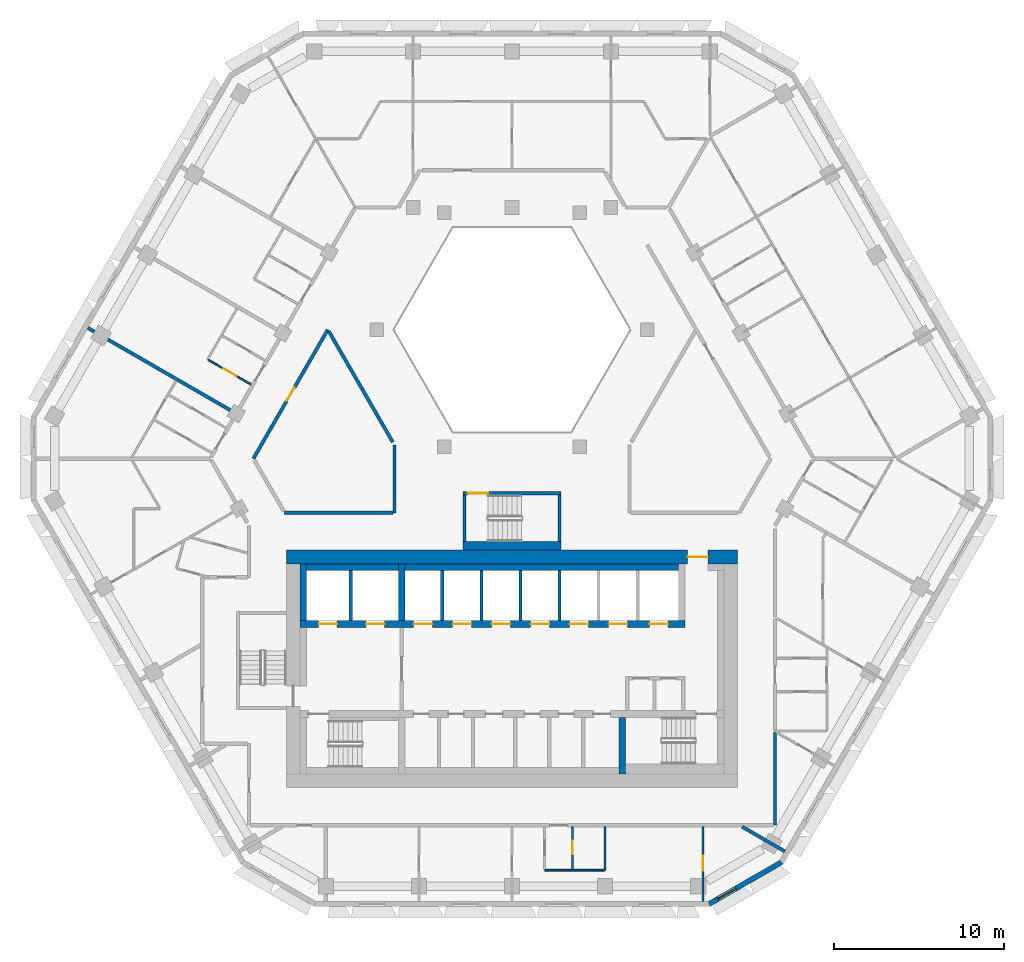
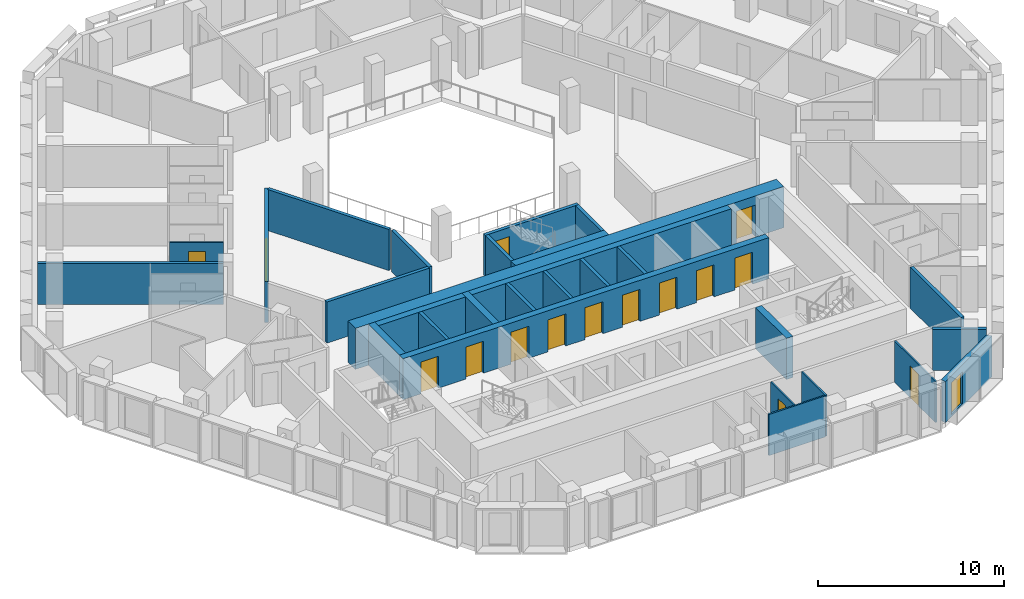
# One storey, part 5 of 15: 29 walls, 15 doors, 1 window, 16 openings.
"""IFC4 building model written with IfcOpenShell, lengths in metres."""

from ifc_helpers import new_model, si_unit, direction, frame, frame_2d, origin, place, context, subcontext, project, spatial, polyline, rectangle, outline, extrude, material, layer, layer_set, type_object, element, fill, save


model = new_model("IFC4")

# Units and contexts
model_context = context("Model", 3, precision=1e-05, world=origin(), true_north=direction((0.0, 1.0)))
body_context = subcontext(model_context, "Body", "Model", "MODEL_VIEW")
ifc_project = project(units=[si_unit("LENGTHUNIT", "METRE"), si_unit("AREAUNIT", "SQUARE_METRE"), si_unit("VOLUMEUNIT", "CUBIC_METRE"), si_unit("PLANEANGLEUNIT", "RADIAN"), si_unit("MASSUNIT", "GRAM", prefix="KILO")], contexts=[model_context])

# Site, building, storey
site_placement = place(None, origin())
site = spatial("IfcSite", under=ifc_project, at=site_placement, CompositionType="ELEMENT")
building_placement = place(site_placement, origin())
building = spatial("IfcBuilding", under=site, at=building_placement, Name="Beryl Residences", CompositionType="ELEMENT")
storey_placement = place(building_placement, frame((0.0, 0.0, 141.60009765625)))
storey = spatial("IfcBuildingStorey", under=building, at=storey_placement, Name="L43", CompositionType="ELEMENT", Elevation=141.60009765625)

# Wall, opening, window
ifc_material_1 = material(Name="Composite metal panel with mineral wool insulation")
ifc_layer_1 = layer(ifc_material_1, 0.300048828125)
ifc_layer_set_1 = layer_set([ifc_layer_1], Name="ES1 pale metal composite panel wall 300 mm")
wall_type_1 = type_object("IfcWallType", Name="ES1 pale metal composite panel wall 300 mm", PredefinedType="SOLIDWALL", material=ifc_layer_set_1)
wall_1_placement = place(storey_placement, frame((11.5869140625, -25.8701171875, 0.0), z_axis=(0.0, 0.0, 1.0), x_axis=(0.866022959057, 0.500004234368, 0.0)))
wall_1 = element("IfcWall", 1, at=wall_1_placement, inside=storey, type_object=wall_type_1, Name="ES1 external wall L43 S-SE", PredefinedType="SOLIDWALL", context=body_context, shape_type="SweptSolid", body=[
    extrude(outline(polyline([(0.0, -0.14990234375), (5.0, -0.14990234375), (4.919677734375, 0.14990234375), (0.080322265625, 0.14990234375), (0.0, -0.14990234375)])), origin(), (0.0, 0.0, 1.0), 2.699951171875),
])
opening_1_placement = place(wall_1_placement, frame((0.64990234375, 0.0, 0.14990234375)))
opening_1 = element("IfcOpeningElement", 2, at=opening_1_placement, cuts=wall_1, Name="Opening W2", PredefinedType="OPENING", context=body_context, shape_type="SweptSolid", body=[
    extrude(rectangle(XDim=1.199951171875, YDim=2.10009765625, at=frame_2d((0.60009765625, 1.050048828125))), frame((0.0, 0.159912109375, 0.0), z_axis=(0.0, -1.0, 0.0), x_axis=(1.0, 0.0, 0.0)), (0.0, 0.0, 1.0), 0.320068359375),
])
ifc_material_2 = material(Name="Aluminium and clear glass", Category="aluminium")
window_type = type_object("IfcWindowType", Name="W2 chamfer window 1200 x 2100 mm", PartitioningType="SINGLE_PANEL", PredefinedType="WINDOW", material=ifc_material_2)
window_placement = place(opening_1_placement, origin())
window = element("IfcWindow", 3, at=window_placement, inside=storey, type_object=window_type, Name="W2 window L43 S-SE 1", OverallHeight=2.10009765625, OverallWidth=1.199951171875, PartitioningType="SINGLE_PANEL", PredefinedType="WINDOW", context=body_context, shape_type="SweptSolid", body=[
    extrude(rectangle(XDim=1.199951171875, YDim=2.10009765625, at=frame_2d((0.60009765625, 1.050048828125))), frame((0.0, 0.030029296875, 0.0), z_axis=(0.0, -1.0, 0.0), x_axis=(1.0, 0.0, 0.0)), (0.0, 0.0, 1.0), 0.06005859375),
])
fill(opening_1, window)

# Wall, opening, door
ifc_material_3 = material(Name="Gypsum board partition on steel studs", Category="steel")
ifc_layer_2 = layer(ifc_material_3, 0.10009765625)
ifc_layer_set_2 = layer_set([ifc_layer_2], Name="PT1 partition 100 mm gypsum board on steel studs")
wall_type_2 = type_object("IfcWallType", Name="PT1 partition 100 mm gypsum board on steel studs", PredefinedType="PARTITIONING", material=ifc_layer_set_2)
wall_2_placement = place(storey_placement, frame((-17.89794921875, 6.217041015625, 0.0), z_axis=(0.0, 0.0, 1.0), x_axis=(0.86592000186, -0.500182517066, 0.0)))
wall_2 = element("IfcWall", 4, at=wall_2_placement, inside=storey, type_object=wall_type_2, Name="Wall PT1 L43 009", PredefinedType="PARTITIONING", context=body_context, shape_type="SweptSolid", body=[
    extrude(rectangle(XDim=2.9091796875, YDim=0.10009765625, at=frame_2d((1.45458984375, 0.0))), origin(), (0.0, 0.0, 1.0), 2.699951171875),
])
opening_2_placement = place(wall_2_placement, frame((1.029052734375, 0.0, 0.0)))
opening_2 = element("IfcOpeningElement", 5, at=opening_2_placement, cuts=wall_2, Name="Opening D1342", PredefinedType="OPENING", context=body_context, shape_type="SweptSolid", body=[
    extrude(rectangle(XDim=0.89990234375, YDim=2.10009765625, at=frame_2d((0.449951171875, 1.050048828125))), frame((0.0, 0.06005859375, 0.0), z_axis=(0.0, -1.0, 0.0), x_axis=(1.0, 0.0, 0.0)), (0.0, 0.0, 1.0), 0.1201171875),
])
ifc_material_4 = material(Name="Timber door leaf", Category="wood")
door_type_1 = type_object("IfcDoorType", Name="D2 room door 900 x 2100 mm", OperationType="SINGLE_SWING_LEFT", PredefinedType="DOOR", material=ifc_material_4)
door_1_placement = place(opening_2_placement, origin())
door_1 = element("IfcDoor", 6, at=door_1_placement, inside=storey, type_object=door_type_1, Name="Door D1342 L43 001", OperationType="SINGLE_SWING_RIGHT", OverallHeight=2.10009765625, OverallWidth=0.89990234375, PredefinedType="DOOR", context=body_context, shape_type="SweptSolid", body=[
    extrude(rectangle(XDim=0.89990234375, YDim=2.10009765625, at=frame_2d((0.449951171875, 1.050048828125))), frame((0.0, 0.02490234375, 0.0), z_axis=(0.0, -1.0, 0.0), x_axis=(1.0, 0.0, 0.0)), (0.0, 0.0, 1.0), 0.050048828125),
])
fill(opening_2, door_1)

# Wall
wall_3_placement = place(storey_placement, frame((1.922119140625, -23.860107421875, 0.0), z_axis=(0.0, 0.0, 1.0), x_axis=(1.0, 0.0, 0.0)))
element("IfcWall", 7, at=wall_3_placement, inside=storey, type_object=wall_type_2, Name="Wall PT1 L43 023", PredefinedType="PARTITIONING", context=body_context, shape_type="SweptSolid", body=[
    extrude(rectangle(XDim=3.512939453125, YDim=0.10009765625, at=frame_2d((1.75634765625, 0.0))), origin(), (0.0, 0.0, 1.0), 2.699951171875),
])

# Wall, opening, door
wall_4_placement = place(storey_placement, frame((3.56591796875, -23.81005859375, 0.0), z_axis=(0.0, 0.0, 1.0), x_axis=(0.0, 1.0, 0.0)))
wall_4 = element("IfcWall", 8, at=wall_4_placement, inside=storey, type_object=wall_type_2, Name="Wall PT1 L43 036", PredefinedType="PARTITIONING", context=body_context, shape_type="SweptSolid", body=[
    extrude(rectangle(XDim=2.510009765625, YDim=0.10009765625, at=frame_2d((1.2548828125, 0.0))), origin(), (0.0, 0.0, 1.0), 2.699951171875),
])
opening_3_placement = place(wall_4_placement, frame((0.8798828125, 0.0, 0.0)))
opening_3 = element("IfcOpeningElement", 9, at=opening_3_placement, cuts=wall_4, Name="Opening D1303", PredefinedType="OPENING", context=body_context, shape_type="SweptSolid", body=[
    extrude(rectangle(XDim=0.800048828125, YDim=2.10009765625, at=frame_2d((0.39990234375, 1.050048828125))), frame((0.0, 0.06005859375, 0.0), z_axis=(0.0, -1.0, 0.0), x_axis=(1.0, 0.0, 0.0)), (0.0, 0.0, 1.0), 0.1201171875),
])
ifc_material_5 = material(Name="Timber door leaf", Category="wood")
door_type_2 = type_object("IfcDoorType", Name="D3 bathroom door 800 x 2100 mm", OperationType="SINGLE_SWING_LEFT", PredefinedType="DOOR", material=ifc_material_5)
door_2_placement = place(opening_3_placement, origin())
door_2 = element("IfcDoor", 10, at=door_2_placement, inside=storey, type_object=door_type_2, Name="Door D1303 L43 001", OperationType="SINGLE_SWING_LEFT", OverallHeight=2.10009765625, OverallWidth=0.800048828125, PredefinedType="DOOR", context=body_context, shape_type="SweptSolid", body=[
    extrude(rectangle(XDim=0.800048828125, YDim=2.10009765625, at=frame_2d((0.39990234375, 1.050048828125))), frame((0.0, 0.02490234375, 0.0), z_axis=(0.0, -1.0, 0.0), x_axis=(1.0, 0.0, 0.0)), (0.0, 0.0, 1.0), 0.050048828125),
])
fill(opening_3, door_2)

# Wall
wall_5_placement = place(storey_placement, frame((5.486083984375, -23.85888671875, 0.0), z_axis=(0.0, 0.0, 1.0), x_axis=(0.0, 1.0, 0.0)))
element("IfcWall", 11, at=wall_5_placement, inside=storey, type_object=wall_type_2, Name="Wall PT1 L43 037", PredefinedType="PARTITIONING", context=body_context, shape_type="SweptSolid", body=[
    extrude(rectangle(XDim=2.558837890625, YDim=0.10009765625, at=frame_2d((1.279296875, 0.0))), origin(), (0.0, 0.0, 1.0), 2.699951171875),
])

# Wall, opening, door
wall_6_placement = place(storey_placement, frame((11.2548828125, -25.699951171875, 0.0), z_axis=(0.0, 0.0, 1.0), x_axis=(0.0, 1.0, 0.0)))
wall_6 = element("IfcWall", 12, at=wall_6_placement, inside=storey, type_object=wall_type_2, Name="Wall PT1 L43 039", PredefinedType="PARTITIONING", context=body_context, shape_type="SweptSolid", body=[
    extrude(rectangle(XDim=4.39990234375, YDim=0.10009765625, at=frame_2d((2.199951171875, 0.0))), origin(), (0.0, 0.0, 1.0), 2.699951171875),
])
opening_4_placement = place(wall_6_placement, frame((1.800048828125, 0.0, 0.0)))
opening_4 = element("IfcOpeningElement", 13, at=opening_4_placement, cuts=wall_6, Name="Opening D1304", PredefinedType="OPENING", context=body_context, shape_type="SweptSolid", body=[
    extrude(rectangle(XDim=0.89990234375, YDim=2.10009765625, at=frame_2d((0.449951171875, 1.050048828125))), frame((0.0, 0.06005859375, 0.0), z_axis=(0.0, -1.0, 0.0), x_axis=(1.0, 0.0, 0.0)), (0.0, 0.0, 1.0), 0.1201171875),
])
door_3_placement = place(opening_4_placement, origin())
door_3 = element("IfcDoor", 14, at=door_3_placement, inside=storey, type_object=door_type_1, Name="Door D1304 L43 001", OperationType="SINGLE_SWING_RIGHT", OverallHeight=2.10009765625, OverallWidth=0.89990234375, PredefinedType="DOOR", context=body_context, shape_type="SweptSolid", body=[
    extrude(rectangle(XDim=0.89990234375, YDim=2.10009765625, at=frame_2d((0.449951171875, 1.050048828125))), frame((0.0, 0.02490234375, 0.0), z_axis=(0.0, -1.0, 0.0), x_axis=(1.0, 0.0, 0.0)), (0.0, 0.0, 1.0), 0.050048828125),
])
fill(opening_4, door_3)

# Walls
ifc_material_6 = material(Name="Acoustic double stud gypsum board wall")
ifc_layer_3 = layer(ifc_material_6, 0.199951171875)
ifc_layer_set_3 = layer_set([ifc_layer_3], Name="PT3 party wall 200 mm acoustic double stud")
wall_type_3 = type_object("IfcWallType", Name="PT3 party wall 200 mm acoustic double stud", PredefinedType="PARTITIONING", material=ifc_layer_set_3)
wall_7_placement = place(storey_placement, frame((-24.9990234375, 8.10009765625, 0.0), z_axis=(0.0, 0.0, 1.0), x_axis=(0.866016855193, -0.500014806302, 0.0)))
element("IfcWall", 15, at=wall_7_placement, inside=storey, type_object=wall_type_3, Name="Wall PT3 L43 001", PredefinedType="PARTITIONING", context=body_context, shape_type="SweptSolid", body=[
    extrude(rectangle(XDim=9.999755859375, YDim=0.199951171875, at=frame_2d((5.0, 0.0))), origin(), (0.0, 0.0, 1.0), 2.699951171875),
])
wall_8_placement = place(storey_placement, frame((13.568115234375, -21.300048828125, 0.0), z_axis=(0.0, 0.0, 1.0), x_axis=(0.865885342641, -0.500242514586, 0.0)))
element("IfcWall", 16, at=wall_8_placement, inside=storey, type_object=wall_type_3, Name="Wall PT3 L43 002", PredefinedType="PARTITIONING", context=body_context, shape_type="SweptSolid", body=[
    extrude(rectangle(XDim=2.8984375, YDim=0.199951171875, at=frame_2d((1.44921875, 0.0))), origin(), (0.0, 0.0, 1.0), 2.699951171875),
])
ifc_material_7 = material(Name="Double stud gypsum board wall")
ifc_layer_4 = layer(ifc_material_7, 0.199951171875)
ifc_layer_set_4 = layer_set([ifc_layer_4], Name="PT4 corridor wall 200 mm double stud")
wall_type_4 = type_object("IfcWallType", Name="PT4 corridor wall 200 mm double stud", PredefinedType="PARTITIONING", material=ifc_layer_set_4)
wall_9_placement = place(storey_placement, frame((-10.7958984375, 7.89990234375, 0.0), z_axis=(0.0, 0.0, 1.0), x_axis=(0.499954271211, -0.866051803703, 0.0)))
element("IfcWall", 17, at=wall_9_placement, inside=storey, type_object=wall_type_4, Name="Wall PT4 L43 001", PredefinedType="PARTITIONING", context=body_context, shape_type="SweptSolid", body=[
    extrude(rectangle(XDim=7.536376953125, YDim=0.199951171875, at=frame_2d((3.76806640625, 0.0))), origin(), (0.0, 0.0, 1.0), 2.699951171875),
])
wall_10_placement = place(storey_placement, frame((-13.39501953125, -2.800048828125, 0.0), z_axis=(0.0, 0.0, 1.0), x_axis=(1.0, 0.0, 0.0)))
element("IfcWall", 18, at=wall_10_placement, inside=storey, type_object=wall_type_4, Name="Wall PT4 L43 012", PredefinedType="PARTITIONING", context=body_context, shape_type="SweptSolid", body=[
    extrude(rectangle(XDim=6.366943359375, YDim=0.199951171875, at=frame_2d((3.18359375, 0.0))), origin(), (0.0, 0.0, 1.0), 2.699951171875),
])

# Wall, opening, door
wall_11_placement = place(storey_placement, frame((-15.241943359375, 0.39892578125, 0.0), z_axis=(0.0, 0.0, 1.0), x_axis=(0.499953615651, 0.866052182145, 0.0)))
wall_11 = element("IfcWall", 19, at=wall_11_placement, inside=storey, type_object=wall_type_4, Name="Wall PT4 L43 020", PredefinedType="PARTITIONING", context=body_context, shape_type="SweptSolid", body=[
    extrude(rectangle(XDim=8.776611328125, YDim=0.199951171875, at=frame_2d((4.38818359375, 0.0))), origin(), (0.0, 0.0, 1.0), 2.699951171875),
])
opening_5_placement = place(wall_11_placement, frame((3.93798828125, 0.0, 0.0)))
opening_5 = element("IfcOpeningElement", 20, at=opening_5_placement, cuts=wall_11, Name="Opening D1356", PredefinedType="OPENING", context=body_context, shape_type="SweptSolid", body=[
    extrude(rectangle(XDim=0.89990234375, YDim=2.10009765625, at=frame_2d((0.449951171875, 1.050048828125))), frame((0.0, 0.10986328125, 0.0), z_axis=(0.0, -1.0, 0.0), x_axis=(1.0, 0.0, 0.0)), (0.0, 0.0, 1.0), 0.219970703125),
])
door_4_placement = place(opening_5_placement, origin())
door_4 = element("IfcDoor", 21, at=door_4_placement, inside=storey, type_object=door_type_1, Name="Door D1356 L43 001", OperationType="SINGLE_SWING_RIGHT", OverallHeight=2.10009765625, OverallWidth=0.89990234375, PredefinedType="DOOR", context=body_context, shape_type="SweptSolid", body=[
    extrude(rectangle(XDim=0.89990234375, YDim=2.10009765625, at=frame_2d((0.449951171875, 1.050048828125))), frame((0.0, 0.02490234375, 0.0), z_axis=(0.0, -1.0, 0.0), x_axis=(1.0, 0.0, 0.0)), (0.0, 0.0, 1.0), 0.050048828125),
])
fill(opening_5, door_4)

# Walls
wall_12_placement = place(storey_placement, frame((15.5, -21.198974609375, 0.0), z_axis=(0.0, 0.0, 1.0), x_axis=(0.0, 1.0, 0.0)))
element("IfcWall", 22, at=wall_12_placement, inside=storey, type_object=wall_type_4, Name="Wall PT4 L43 024", PredefinedType="PARTITIONING", context=body_context, shape_type="SweptSolid", body=[
    extrude(rectangle(XDim=5.4580078125, YDim=0.199951171875, at=frame_2d((2.72900390625, 0.0))), origin(), (0.0, 0.0, 1.0), 2.699951171875),
])
wall_13_placement = place(storey_placement, frame((-6.927978515625, -2.800048828125, 0.0), z_axis=(0.0, 0.0, 1.0), x_axis=(0.0, 1.0, 0.0)))
element("IfcWall", 23, at=wall_13_placement, inside=storey, type_object=wall_type_4, Name="Wall PT4 L43 026", PredefinedType="PARTITIONING", context=body_context, shape_type="SweptSolid", body=[
    extrude(rectangle(XDim=4.0, YDim=0.199951171875, at=frame_2d((2.0, 0.0))), origin(), (0.0, 0.0, 1.0), 2.699951171875),
])

# Wall, opening, door
ifc_material_8 = material(Name="Concrete C40/50", Category="concrete")
ifc_layer_5 = layer(ifc_material_8, 0.199951171875)
ifc_layer_set_5 = layer_set([ifc_layer_5], Name="PT5 stair enclosure wall 200 mm reinforced concrete C40/50")
wall_type_5 = type_object("IfcWallType", Name="PT5 stair enclosure wall 200 mm reinforced concrete C40/50", PredefinedType="SOLIDWALL", material=ifc_layer_set_5)
wall_14_placement = place(storey_placement, frame((-2.89990234375, -1.64990234375, 0.0), z_axis=(0.0, 0.0, 1.0), x_axis=(1.0, 0.0, 0.0)))
wall_14 = element("IfcWall", 24, at=wall_14_placement, inside=storey, type_object=wall_type_5, Name="Wall PT5 L43 001", PredefinedType="SOLIDWALL", context=body_context, shape_type="SweptSolid", body=[
    extrude(rectangle(XDim=5.7998046875, YDim=0.199951171875, at=frame_2d((2.89990234375, 0.0))), origin(), (0.0, 0.0, 1.0), 2.699951171875),
])
opening_6_placement = place(wall_14_placement, frame((0.300048828125, 0.0, 0.0)))
opening_6 = element("IfcOpeningElement", 25, at=opening_6_placement, cuts=wall_14, Name="Opening DS04", PredefinedType="OPENING", context=body_context, shape_type="SweptSolid", body=[
    extrude(rectangle(XDim=1.199951171875, YDim=2.10009765625, at=frame_2d((0.60009765625, 1.050048828125))), frame((0.0, 0.10986328125, 0.0), z_axis=(0.0, -1.0, 0.0), x_axis=(1.0, 0.0, 0.0)), (0.0, 0.0, 1.0), 0.219970703125),
])
ifc_material_9 = material(Name="Steel door leaf in steel frame", Category="steel")
door_type_3 = type_object("IfcDoorType", Name="D4 stair door 1200 x 2100 mm", OperationType="SINGLE_SWING_LEFT", PredefinedType="DOOR", material=ifc_material_9)
door_5_placement = place(opening_6_placement, origin())
door_5 = element("IfcDoor", 26, at=door_5_placement, inside=storey, type_object=door_type_3, Name="Door DS04 L43 001", OperationType="SINGLE_SWING_LEFT", OverallHeight=2.10009765625, OverallWidth=1.199951171875, PredefinedType="DOOR", context=body_context, shape_type="SweptSolid", body=[
    extrude(rectangle(XDim=1.199951171875, YDim=2.10009765625, at=frame_2d((0.60009765625, 1.050048828125))), frame((0.0, 0.02490234375, 0.0), z_axis=(0.0, -1.0, 0.0), x_axis=(1.0, 0.0, 0.0)), (0.0, 0.0, 1.0), 0.050048828125),
])
fill(opening_6, door_5)

# Walls
for number, where, z_axis, x_axis, name in (
    (27, (-2.800048828125, -4.5, 0.0), (0.0, 0.0, 1.0), (0.0, 1.0, 0.0), "Wall PT5 L43 002"),
    (28, (2.800048828125, -4.5, 0.0), (0.0, 0.0, 1.0), (0.0, 1.0, 0.0), "Wall PT5 L43 003"),
):
    element("IfcWall", number, at=place(storey_placement, frame(where, z_axis=z_axis, x_axis=x_axis)), inside=storey, type_object=wall_type_5, Name=name, PredefinedType="SOLIDWALL", context=body_context, shape_type="SweptSolid", body=[
        extrude(rectangle(XDim=2.75, YDim=0.199951171875, at=frame_2d((1.375, 0.0))), origin(), (0.0, 0.0, 1.0), 2.699951171875),
    ])
ifc_material_10 = material(Name="Concrete C40/50", Category="concrete")
ifc_layer_6 = layer(ifc_material_10, 0.5)
ifc_layer_set_6 = layer_set([ifc_layer_6], Name="PT5-500 stair enclosure wall 500 mm")
wall_type_6 = type_object("IfcWallType", Name="PT5-500 stair enclosure wall 500 mm", PredefinedType="SOLIDWALL", material=ifc_layer_set_6)
wall_15_placement = place(storey_placement, frame((-2.89990234375, -4.75, 0.0), z_axis=(0.0, 0.0, 1.0), x_axis=(1.0, 0.0, 0.0)))
element("IfcWall", 29, at=wall_15_placement, inside=storey, type_object=wall_type_6, Name="Wall PT5-500 L43 001", PredefinedType="SOLIDWALL", context=body_context, shape_type="SweptSolid", body=[
    extrude(rectangle(XDim=5.7998046875, YDim=0.5, at=frame_2d((2.89990234375, 0.0))), origin(), (0.0, 0.0, 1.0), 2.699951171875),
])
ifc_material_11 = material(Name="Concrete C40/50", Category="concrete")
ifc_layer_7 = layer(ifc_material_11, 0.199951171875)
ifc_layer_set_7 = layer_set([ifc_layer_7], Name="PT6 lift shaft wall 200 mm reinforced concrete C40/50")
wall_type_7 = type_object("IfcWallType", Name="PT6 lift shaft wall 200 mm reinforced concrete C40/50", PredefinedType="SOLIDWALL", material=ifc_layer_set_7)
for number, where, z_axis, x_axis, name in (
    (30, (-9.5, -9.14990234375, 0.0), (0.0, 0.0, 1.0), (0.0, 1.0, 0.0), "Lift shaft wall 10"),
    (31, (-4.10009765625, -9.14990234375, 0.0), (0.0, 0.0, 1.0), (0.0, 1.0, 0.0), "Lift shaft wall 15"),
    (32, (-1.800048828125, -9.14990234375, 0.0), (0.0, 0.0, 1.0), (0.0, 1.0, 0.0), "Lift shaft wall 17"),
    (33, (0.5, -9.14990234375, 0.0), (0.0, 0.0, 1.0), (0.0, 1.0, 0.0), "Lift shaft wall 19"),
    (34, (2.800048828125, -9.14990234375, 0.0), (0.0, 0.0, 1.0), (0.0, 1.0, 0.0), "Lift shaft wall 21"),
):
    element("IfcWall", number, at=place(storey_placement, frame(where, z_axis=z_axis, x_axis=x_axis)), inside=storey, type_object=wall_type_7, Name=name, PredefinedType="SOLIDWALL", context=body_context, shape_type="SweptSolid", body=[
        extrude(rectangle(XDim=2.949951171875, YDim=0.199951171875, at=frame_2d((1.47509765625, 0.0))), origin(), (0.0, 0.0, 1.0), 2.699951171875),
    ])
ifc_material_12 = material(Name="Concrete C40/50", Category="concrete")
ifc_layer_8 = layer(ifc_material_12, 0.39990234375)
ifc_layer_set_8 = layer_set([ifc_layer_8], Name="PT6-400 lift shaft wall 400 mm")
wall_type_8 = type_object("IfcWallType", Name="PT6-400 lift shaft wall 400 mm", PredefinedType="SOLIDWALL", material=ifc_layer_set_8)
wall_16_placement = place(storey_placement, frame((-12.300048828125, -9.14990234375, 0.0), z_axis=(0.0, 0.0, 1.0), x_axis=(0.0, 1.0, 0.0)))
element("IfcWall", 35, at=wall_16_placement, inside=storey, type_object=wall_type_8, Name="Lift shaft wall 06", PredefinedType="SOLIDWALL", context=body_context, shape_type="SweptSolid", body=[
    extrude(rectangle(XDim=3.349853515625, YDim=0.39990234375, at=frame_2d((1.6748046875, 0.0))), origin(), (0.0, 0.0, 1.0), 2.699951171875),
])
wall_17_placement = place(storey_placement, frame((-12.10009765625, -6.0, 0.0), z_axis=(0.0, 0.0, 1.0), x_axis=(1.0, 0.0, 0.0)))
element("IfcWall", 36, at=wall_17_placement, inside=storey, type_object=wall_type_8, Name="Lift shaft wall 08", PredefinedType="SOLIDWALL", context=body_context, shape_type="SweptSolid", body=[
    extrude(rectangle(XDim=5.400146484375, YDim=0.39990234375, at=frame_2d((2.7001953125, 0.0))), origin(), (0.0, 0.0, 1.0), 2.699951171875),
])
wall_18_placement = place(storey_placement, frame((-6.300048828125, -6.0, 0.0), z_axis=(0.0, 0.0, 1.0), x_axis=(1.0, 0.0, 0.0)))
element("IfcWall", 37, at=wall_18_placement, inside=storey, type_object=wall_type_8, Name="Lift shaft wall 13", PredefinedType="SOLIDWALL", context=body_context, shape_type="SweptSolid", body=[
    extrude(rectangle(XDim=16.10009765625, YDim=0.39990234375, at=frame_2d((8.050048828125, 0.0))), origin(), (0.0, 0.0, 1.0), 2.699951171875),
])

# Wall, opening, door
ifc_material_13 = material(Name="Concrete C60/75", Category="concrete")
ifc_layer_9 = layer(ifc_material_13, 0.800048828125)
ifc_layer_set_9 = layer_set([ifc_layer_9], Name="SW3 core outer wall 800 mm C60/75")
wall_type_9 = type_object("IfcWallType", Name="SW3 core outer wall 800 mm C60/75", PredefinedType="SHEAR", material=ifc_layer_set_9)
wall_19_placement = place(storey_placement, frame((-13.300048828125, -5.39990234375, 0.0), z_axis=(0.0, 0.0, 1.0), x_axis=(1.0, 0.0, 0.0)))
wall_19 = element("IfcWall", 38, at=wall_19_placement, inside=storey, type_object=wall_type_9, Name="Core wall N L43", PredefinedType="SHEAR", context=body_context, shape_type="SweptSolid", body=[
    extrude(rectangle(XDim=26.60009765625, YDim=0.800048828125, at=frame_2d((13.300048828125, 0.0))), origin(), (0.0, 0.0, 1.0), 2.699951171875),
])
opening_7_placement = place(wall_19_placement, frame((23.64990234375, 0.0, 0.0)))
opening_7 = element("IfcOpeningElement", 39, at=opening_7_placement, cuts=wall_19, Name="Opening FD-NORTH", PredefinedType="OPENING", context=body_context, shape_type="SweptSolid", body=[
    extrude(rectangle(XDim=1.199951171875, YDim=2.10009765625, at=frame_2d((0.60009765625, 1.050048828125))), frame((0.0, 0.409912109375, 0.0), z_axis=(0.0, -1.0, 0.0), x_axis=(1.0, 0.0, 0.0)), (0.0, 0.0, 1.0), 0.820068359375),
])
ifc_material_14 = material(Name="Steel door leaf in steel frame", Category="steel")
door_type_4 = type_object("IfcDoorType", Name="D22 lobby door 1200 x 2100 mm", OperationType="DOUBLE_DOOR_SINGLE_SWING", PredefinedType="DOOR", material=ifc_material_14)
door_6_placement = place(opening_7_placement, origin())
door_6 = element("IfcDoor", 40, at=door_6_placement, inside=storey, type_object=door_type_4, Name="Door FD-NORTH L43 001", OperationType="DOUBLE_DOOR_SINGLE_SWING", OverallHeight=2.10009765625, OverallWidth=1.199951171875, PredefinedType="DOOR", context=body_context, shape_type="SweptSolid", body=[
    extrude(rectangle(XDim=1.199951171875, YDim=2.10009765625, at=frame_2d((0.60009765625, 1.050048828125))), frame((0.0, 0.02490234375, 0.0), z_axis=(0.0, -1.0, 0.0), x_axis=(1.0, 0.0, 0.0)), (0.0, 0.0, 1.0), 0.050048828125),
])
fill(opening_7, door_6)

# Wall, openings, doors
ifc_material_15 = material(Name="Concrete C60/75", Category="concrete")
ifc_layer_10 = layer(ifc_material_15, 0.39990234375)
ifc_layer_set_10 = layer_set([ifc_layer_10], Name="SW8 core internal wall 400 mm C60/75")
wall_type_10 = type_object("IfcWallType", Name="SW8 core internal wall 400 mm C60/75", PredefinedType="SHEAR", material=ifc_layer_set_10)
wall_20_placement = place(storey_placement, frame((-12.5, -9.35009765625, 0.0), z_axis=(0.0, 0.0, 1.0), x_axis=(1.0, 0.0, 0.0)))
wall_20 = element("IfcWall", 41, at=wall_20_placement, inside=storey, type_object=wall_type_10, Name="Core wall SP2 L43", PredefinedType="SHEAR", context=body_context, shape_type="SweptSolid", body=[
    extrude(rectangle(XDim=22.699951171875, YDim=0.39990234375, at=frame_2d((11.35009765625, 0.0))), origin(), (0.0, 0.0, 1.0), 2.699951171875),
])
opening_8_placement = place(wall_20_placement, frame((1.10009765625, 0.0, 0.0)))
opening_8 = element("IfcOpeningElement", 42, at=opening_8_placement, cuts=wall_20, Name="Opening LD-FF1", PredefinedType="OPENING", context=body_context, shape_type="SweptSolid", body=[
    extrude(rectangle(XDim=1.10009765625, YDim=2.10009765625, at=frame_2d((0.550048828125, 1.050048828125))), frame((0.0, 0.2099609375, 0.0), z_axis=(0.0, -1.0, 0.0), x_axis=(1.0, 0.0, 0.0)), (0.0, 0.0, 1.0), 0.419921875),
])
opening_9_placement = place(wall_20_placement, frame((3.89990234375, 0.0, 0.0)))
opening_9 = element("IfcOpeningElement", 43, at=opening_9_placement, cuts=wall_20, Name="Opening LD-FF2", PredefinedType="OPENING", context=body_context, shape_type="SweptSolid", body=[
    extrude(rectangle(XDim=1.10009765625, YDim=2.10009765625, at=frame_2d((0.550048828125, 1.050048828125))), frame((0.0, 0.2099609375, 0.0), z_axis=(0.0, -1.0, 0.0), x_axis=(1.0, 0.0, 0.0)), (0.0, 0.0, 1.0), 0.419921875),
])
opening_10_placement = place(wall_20_placement, frame((6.699951171875, 0.0, 0.0)))
opening_10 = element("IfcOpeningElement", 44, at=opening_10_placement, cuts=wall_20, Name="Opening LD-HR1", PredefinedType="OPENING", context=body_context, shape_type="SweptSolid", body=[
    extrude(rectangle(XDim=1.10009765625, YDim=2.10009765625, at=frame_2d((0.550048828125, 1.050048828125))), frame((0.0, 0.2099609375, 0.0), z_axis=(0.0, -1.0, 0.0), x_axis=(1.0, 0.0, 0.0)), (0.0, 0.0, 1.0), 0.419921875),
])
opening_11_placement = place(wall_20_placement, frame((9.0, 0.0, 0.0)))
opening_11 = element("IfcOpeningElement", 45, at=opening_11_placement, cuts=wall_20, Name="Opening LD-HR2", PredefinedType="OPENING", context=body_context, shape_type="SweptSolid", body=[
    extrude(rectangle(XDim=1.10009765625, YDim=2.10009765625, at=frame_2d((0.550048828125, 1.050048828125))), frame((0.0, 0.2099609375, 0.0), z_axis=(0.0, -1.0, 0.0), x_axis=(1.0, 0.0, 0.0)), (0.0, 0.0, 1.0), 0.419921875),
])
opening_12_placement = place(wall_20_placement, frame((11.300048828125, 0.0, 0.0)))
opening_12 = element("IfcOpeningElement", 46, at=opening_12_placement, cuts=wall_20, Name="Opening LD-HR3", PredefinedType="OPENING", context=body_context, shape_type="SweptSolid", body=[
    extrude(rectangle(XDim=1.10009765625, YDim=2.10009765625, at=frame_2d((0.550048828125, 1.050048828125))), frame((0.0, 0.2099609375, 0.0), z_axis=(0.0, -1.0, 0.0), x_axis=(1.0, 0.0, 0.0)), (0.0, 0.0, 1.0), 0.419921875),
])
opening_13_placement = place(wall_20_placement, frame((13.60009765625, 0.0, 0.0)))
opening_13 = element("IfcOpeningElement", 47, at=opening_13_placement, cuts=wall_20, Name="Opening LD-HR4", PredefinedType="OPENING", context=body_context, shape_type="SweptSolid", body=[
    extrude(rectangle(XDim=1.10009765625, YDim=2.10009765625, at=frame_2d((0.550048828125, 1.050048828125))), frame((0.0, 0.2099609375, 0.0), z_axis=(0.0, -1.0, 0.0), x_axis=(1.0, 0.0, 0.0)), (0.0, 0.0, 1.0), 0.419921875),
])
opening_14_placement = place(wall_20_placement, frame((15.89990234375, 0.0, 0.0)))
opening_14 = element("IfcOpeningElement", 48, at=opening_14_placement, cuts=wall_20, Name="Opening LD-HR5", PredefinedType="OPENING", context=body_context, shape_type="SweptSolid", body=[
    extrude(rectangle(XDim=1.10009765625, YDim=2.10009765625, at=frame_2d((0.550048828125, 1.050048828125))), frame((0.0, 0.2099609375, 0.0), z_axis=(0.0, -1.0, 0.0), x_axis=(1.0, 0.0, 0.0)), (0.0, 0.0, 1.0), 0.419921875),
])
opening_15_placement = place(wall_20_placement, frame((18.199951171875, 0.0, 0.0)))
opening_15 = element("IfcOpeningElement", 49, at=opening_15_placement, cuts=wall_20, Name="Opening LD-HR6", PredefinedType="OPENING", context=body_context, shape_type="SweptSolid", body=[
    extrude(rectangle(XDim=1.10009765625, YDim=2.10009765625, at=frame_2d((0.550048828125, 1.050048828125))), frame((0.0, 0.2099609375, 0.0), z_axis=(0.0, -1.0, 0.0), x_axis=(1.0, 0.0, 0.0)), (0.0, 0.0, 1.0), 0.419921875),
])
opening_16_placement = place(wall_20_placement, frame((20.60009765625, 0.0, 0.0)))
opening_16 = element("IfcOpeningElement", 50, at=opening_16_placement, cuts=wall_20, Name="Opening LD-SL1", PredefinedType="OPENING", context=body_context, shape_type="SweptSolid", body=[
    extrude(rectangle(XDim=1.10009765625, YDim=2.10009765625, at=frame_2d((0.550048828125, 1.050048828125))), frame((0.0, 0.2099609375, 0.0), z_axis=(0.0, -1.0, 0.0), x_axis=(1.0, 0.0, 0.0)), (0.0, 0.0, 1.0), 0.419921875),
])
ifc_material_16 = material(Name="Stainless steel sliding door", Category="steel")
door_type_5 = type_object("IfcDoorType", Name="LD1 lift landing door 1100 x 2100 mm", OperationType="DOUBLE_DOOR_SLIDING", PredefinedType="DOOR", material=ifc_material_16)
door_7_placement = place(opening_8_placement, origin())
door_7 = element("IfcDoor", 51, at=door_7_placement, inside=storey, type_object=door_type_5, Name="Lift landing door FF1", OperationType="DOUBLE_DOOR_SLIDING", OverallHeight=2.10009765625, OverallWidth=1.10009765625, PredefinedType="DOOR", context=body_context, shape_type="SweptSolid", body=[
    extrude(rectangle(XDim=1.10009765625, YDim=2.10009765625, at=frame_2d((0.550048828125, 1.050048828125))), frame((0.0, 0.02490234375, 0.0), z_axis=(0.0, -1.0, 0.0), x_axis=(1.0, 0.0, 0.0)), (0.0, 0.0, 1.0), 0.050048828125),
])
fill(opening_8, door_7)
door_8_placement = place(opening_9_placement, origin())
door_8 = element("IfcDoor", 52, at=door_8_placement, inside=storey, type_object=door_type_5, Name="Lift landing door FF2", OperationType="DOUBLE_DOOR_SLIDING", OverallHeight=2.10009765625, OverallWidth=1.10009765625, PredefinedType="DOOR", context=body_context, shape_type="SweptSolid", body=[
    extrude(rectangle(XDim=1.10009765625, YDim=2.10009765625, at=frame_2d((0.550048828125, 1.050048828125))), frame((0.0, 0.02490234375, 0.0), z_axis=(0.0, -1.0, 0.0), x_axis=(1.0, 0.0, 0.0)), (0.0, 0.0, 1.0), 0.050048828125),
])
fill(opening_9, door_8)
door_9_placement = place(opening_10_placement, origin())
door_9 = element("IfcDoor", 53, at=door_9_placement, inside=storey, type_object=door_type_5, Name="Lift landing door HR1", OperationType="DOUBLE_DOOR_SLIDING", OverallHeight=2.10009765625, OverallWidth=1.10009765625, PredefinedType="DOOR", context=body_context, shape_type="SweptSolid", body=[
    extrude(rectangle(XDim=1.10009765625, YDim=2.10009765625, at=frame_2d((0.550048828125, 1.050048828125))), frame((0.0, 0.02490234375, 0.0), z_axis=(0.0, -1.0, 0.0), x_axis=(1.0, 0.0, 0.0)), (0.0, 0.0, 1.0), 0.050048828125),
])
fill(opening_10, door_9)
door_10_placement = place(opening_11_placement, origin())
door_10 = element("IfcDoor", 54, at=door_10_placement, inside=storey, type_object=door_type_5, Name="Lift landing door HR2", OperationType="DOUBLE_DOOR_SLIDING", OverallHeight=2.10009765625, OverallWidth=1.10009765625, PredefinedType="DOOR", context=body_context, shape_type="SweptSolid", body=[
    extrude(rectangle(XDim=1.10009765625, YDim=2.10009765625, at=frame_2d((0.550048828125, 1.050048828125))), frame((0.0, 0.02490234375, 0.0), z_axis=(0.0, -1.0, 0.0), x_axis=(1.0, 0.0, 0.0)), (0.0, 0.0, 1.0), 0.050048828125),
])
fill(opening_11, door_10)
door_11_placement = place(opening_12_placement, origin())
door_11 = element("IfcDoor", 55, at=door_11_placement, inside=storey, type_object=door_type_5, Name="Lift landing door HR3", OperationType="DOUBLE_DOOR_SLIDING", OverallHeight=2.10009765625, OverallWidth=1.10009765625, PredefinedType="DOOR", context=body_context, shape_type="SweptSolid", body=[
    extrude(rectangle(XDim=1.10009765625, YDim=2.10009765625, at=frame_2d((0.550048828125, 1.050048828125))), frame((0.0, 0.02490234375, 0.0), z_axis=(0.0, -1.0, 0.0), x_axis=(1.0, 0.0, 0.0)), (0.0, 0.0, 1.0), 0.050048828125),
])
fill(opening_12, door_11)
door_12_placement = place(opening_13_placement, origin())
door_12 = element("IfcDoor", 56, at=door_12_placement, inside=storey, type_object=door_type_5, Name="Lift landing door HR4", OperationType="DOUBLE_DOOR_SLIDING", OverallHeight=2.10009765625, OverallWidth=1.10009765625, PredefinedType="DOOR", context=body_context, shape_type="SweptSolid", body=[
    extrude(rectangle(XDim=1.10009765625, YDim=2.10009765625, at=frame_2d((0.550048828125, 1.050048828125))), frame((0.0, 0.02490234375, 0.0), z_axis=(0.0, -1.0, 0.0), x_axis=(1.0, 0.0, 0.0)), (0.0, 0.0, 1.0), 0.050048828125),
])
fill(opening_13, door_12)
door_13_placement = place(opening_14_placement, origin())
door_13 = element("IfcDoor", 57, at=door_13_placement, inside=storey, type_object=door_type_5, Name="Lift landing door HR5", OperationType="DOUBLE_DOOR_SLIDING", OverallHeight=2.10009765625, OverallWidth=1.10009765625, PredefinedType="DOOR", context=body_context, shape_type="SweptSolid", body=[
    extrude(rectangle(XDim=1.10009765625, YDim=2.10009765625, at=frame_2d((0.550048828125, 1.050048828125))), frame((0.0, 0.02490234375, 0.0), z_axis=(0.0, -1.0, 0.0), x_axis=(1.0, 0.0, 0.0)), (0.0, 0.0, 1.0), 0.050048828125),
])
fill(opening_14, door_13)
door_14_placement = place(opening_15_placement, origin())
door_14 = element("IfcDoor", 58, at=door_14_placement, inside=storey, type_object=door_type_5, Name="Lift landing door HR6", OperationType="DOUBLE_DOOR_SLIDING", OverallHeight=2.10009765625, OverallWidth=1.10009765625, PredefinedType="DOOR", context=body_context, shape_type="SweptSolid", body=[
    extrude(rectangle(XDim=1.10009765625, YDim=2.10009765625, at=frame_2d((0.550048828125, 1.050048828125))), frame((0.0, 0.02490234375, 0.0), z_axis=(0.0, -1.0, 0.0), x_axis=(1.0, 0.0, 0.0)), (0.0, 0.0, 1.0), 0.050048828125),
])
fill(opening_15, door_14)
door_15_placement = place(opening_16_placement, origin())
door_15 = element("IfcDoor", 59, at=door_15_placement, inside=storey, type_object=door_type_5, Name="Lift landing door SL1", OperationType="DOUBLE_DOOR_SLIDING", OverallHeight=2.10009765625, OverallWidth=1.10009765625, PredefinedType="DOOR", context=body_context, shape_type="SweptSolid", body=[
    extrude(rectangle(XDim=1.10009765625, YDim=2.10009765625, at=frame_2d((0.550048828125, 1.050048828125))), frame((0.0, 0.02490234375, 0.0), z_axis=(0.0, -1.0, 0.0), x_axis=(1.0, 0.0, 0.0)), (0.0, 0.0, 1.0), 0.050048828125),
])
fill(opening_16, door_15)

# Walls
for number, where, z_axis, x_axis, name in (
    (60, (6.5, -18.199951171875, 0.0), (0.0, 0.0, 1.0), (0.0, 1.0, 0.0), "Core wall XS2 L43"),
    (61, (-6.5, -9.14990234375, 0.0), (0.0, 0.0, 1.0), (0.0, 1.0, 0.0), "Core wall XN1 L43"),
):
    element("IfcWall", number, at=place(storey_placement, frame(where, z_axis=z_axis, x_axis=x_axis)), inside=storey, type_object=wall_type_10, Name=name, PredefinedType="SHEAR", context=body_context, shape_type="SweptSolid", body=[
        extrude(rectangle(XDim=3.349853515625, YDim=0.39990234375, at=frame_2d((1.6748046875, 0.0))), origin(), (0.0, 0.0, 1.0), 2.699951171875),
    ])

save(model, "model.ifc")
